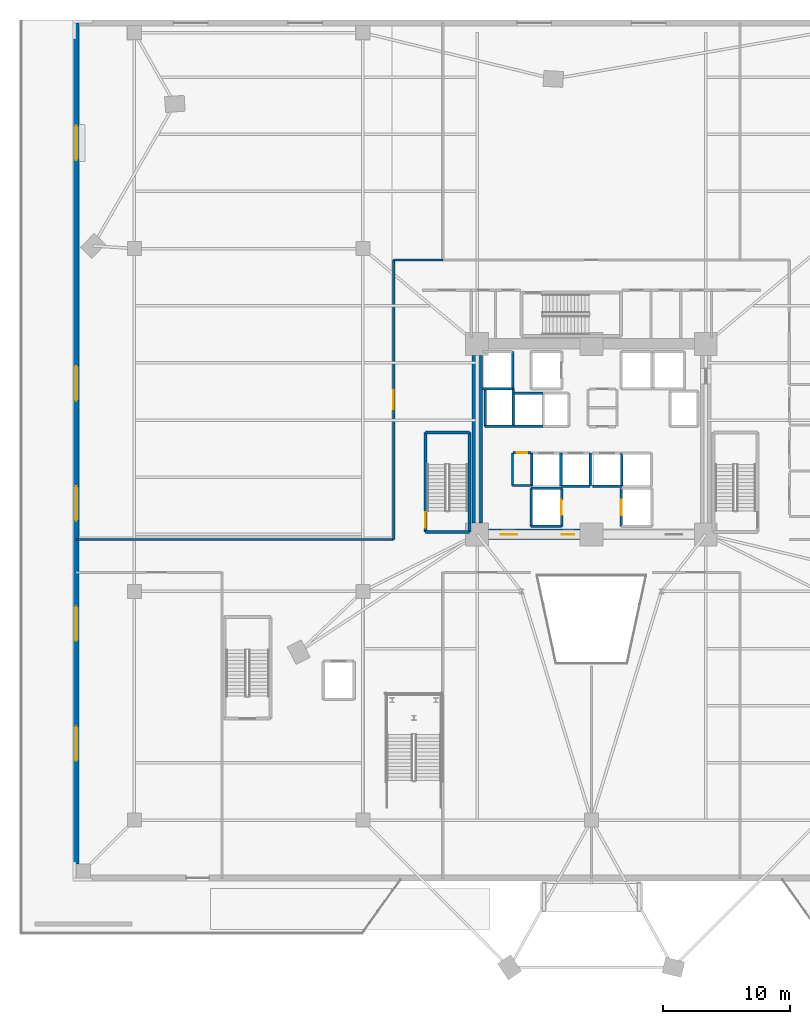
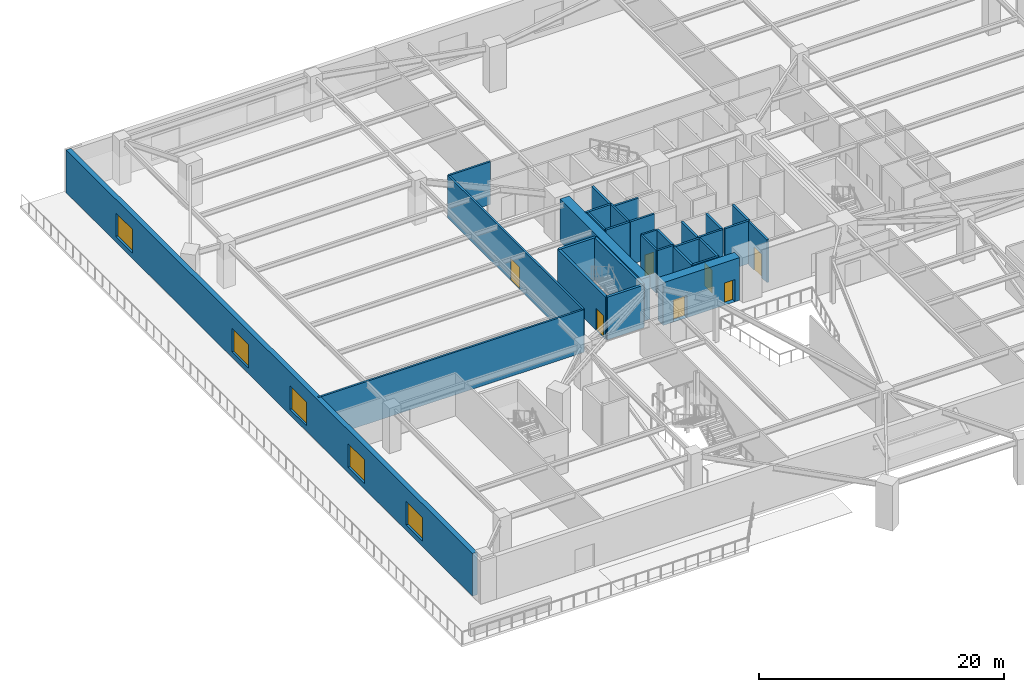
# One storey, part 8 of 19: 31 walls, 7 doors, 5 windows, 12 openings.
"""IFC4 building model written with IfcOpenShell, lengths in metres."""

from ifc_helpers import new_model, si_unit, direction, frame, frame_2d, origin, place, context, subcontext, project, spatial, rectangle, extrude, source, transform, mapped, material, layer, layer_set, type_object, element, fill, save


model = new_model("IFC4")

# Units and contexts
model_context = context("Model", 3, precision=1e-05, world=origin(), true_north=direction((0.0, 1.0)))
body_context = subcontext(model_context, "Body", "Model", "MODEL_VIEW")
ifc_project = project(units=[si_unit("LENGTHUNIT", "METRE"), si_unit("AREAUNIT", "SQUARE_METRE"), si_unit("VOLUMEUNIT", "CUBIC_METRE"), si_unit("PLANEANGLEUNIT", "RADIAN"), si_unit("MASSUNIT", "GRAM", prefix="KILO")], contexts=[model_context])

# Site, building, storey
site_placement = place(None, origin())
site = spatial("IfcSite", under=ifc_project, at=site_placement, CompositionType="ELEMENT")
building_placement = place(site_placement, origin())
building = spatial("IfcBuilding", under=site, at=building_placement, Name="Liaohun Quay Tower", CompositionType="ELEMENT")
storey_placement = place(building_placement, frame((0.0, 0.0, 9.89990234375)))
storey = spatial("IfcBuildingStorey", under=building, at=storey_placement, Name="L03", CompositionType="ELEMENT", Elevation=9.89990234375)

# Wall, openings, doors
ifc_material_1 = material(Name="Concrete C60", Category="concrete")
ifc_layer_1 = layer(ifc_material_1, 0.85009765625, Name="Concrete C60", Category="concrete")
ifc_layer_set_1 = layer_set([ifc_layer_1], Name="Concrete C60")
wall_type_1 = type_object("IfcWallType", Name="WAL-COR-Z1", PredefinedType="SHEAR", material=ifc_layer_set_1)
wall_1_placement = place(storey_placement, frame((59.10009765625, 46.5, 0.0), z_axis=(0.0, 0.0, 1.0), x_axis=(-1.0, 0.0, 0.0)))
wall_1 = element("IfcWall", 1, at=wall_1_placement, inside=storey, type_object=wall_type_1, Name="L03 Central Core Shear Wall S-W", PredefinedType="SHEAR", context=body_context, shape_type="SweptSolid", body=[
    extrude(rectangle(XDim=7.2001953125, YDim=0.85009765625, at=frame_2d((3.60009765625, 0.0))), origin(), (0.0, 0.0, 1.0), 4.25),
])
shared_shape_1 = source(origin(), body_context, "Body", "SweptSolid", [
    extrude(rectangle(XDim=1.300048828125, YDim=2.199951171875, at=frame_2d((0.64990234375, 1.10009765625))), frame((0.0, 0.43505859375, 0.0), z_axis=(0.0, -1.0, 0.0), x_axis=(1.0, 0.0, 0.0)), (0.0, 0.0, 1.0), 0.8701171875),
])
opening_1_placement = place(wall_1_placement, frame((4.949951171875, 0.0, 0.0)))
opening_1 = element("IfcOpeningElement", 2, at=opening_1_placement, cuts=wall_1, Name="Opening FD1", PredefinedType="OPENING", context=body_context, shape_type="MappedRepresentation", body=[
    mapped(shared_shape_1, transform((0.0, 0.0, 0.0), x_axis=(1.0, 0.0, 0.0), y_axis=(0.0, 1.0, 0.0), z_axis=(0.0, 0.0, 1.0), scale=1.0)),
])
shared_shape_2 = source(origin(), body_context, "Body", "SweptSolid", [
    extrude(rectangle(XDim=1.0, YDim=2.199951171875, at=frame_2d((0.5, 1.10009765625))), frame((0.0, 0.43505859375, 0.0), z_axis=(0.0, -1.0, 0.0), x_axis=(1.0, 0.0, 0.0)), (0.0, 0.0, 1.0), 0.8701171875),
])
opening_2_placement = place(wall_1_placement, frame((0.449951171875, 0.0, 0.0)))
opening_2 = element("IfcOpeningElement", 3, at=opening_2_placement, cuts=wall_1, Name="Opening FD2", PredefinedType="OPENING", context=body_context, shape_type="MappedRepresentation", body=[
    mapped(shared_shape_2, transform((0.0, 0.0, 0.0), x_axis=(1.0, 0.0, 0.0), y_axis=(0.0, 1.0, 0.0), z_axis=(0.0, 0.0, 1.0), scale=1.0)),
])
ifc_material_2 = material(Name="Galvanised steel smokeproof fire door", Category="steel")
door_type_1 = type_object("IfcDoorType", Name="DOR-FFL-1300", OperationType="NOTDEFINED", PredefinedType="DOOR", material=ifc_material_2)
shared_shape_3 = source(origin(), body_context, "Body", "SweptSolid", [
    extrude(rectangle(XDim=1.300048828125, YDim=2.199951171875, at=frame_2d((0.64990234375, 1.10009765625))), frame((0.0, 0.02490234375, 0.0), z_axis=(0.0, -1.0, 0.0), x_axis=(1.0, 0.0, 0.0)), (0.0, 0.0, 1.0), 0.050048828125),
])
door_1_placement = place(opening_1_placement, origin())
door_1 = element("IfcDoor", 4, at=door_1_placement, inside=storey, type_object=door_type_1, Name="L03 West Core Lift Lobby Smokeproof Door", OperationType="SINGLE_SWING_RIGHT", OverallHeight=2.199951171875, OverallWidth=1.300048828125, PredefinedType="DOOR", context=body_context, shape_type="MappedRepresentation", body=[
    mapped(shared_shape_3, transform((0.0, 0.0, 0.0), x_axis=(1.0, 0.0, 0.0), y_axis=(0.0, 1.0, 0.0), z_axis=(0.0, 0.0, 1.0), scale=1.0)),
])
fill(opening_1, door_1)
ifc_material_3 = material(Name="Galvanised steel smokeproof lobby fire door", Category="steel")
door_type_2 = type_object("IfcDoorType", Name="DOR-FFL-1000", OperationType="NOTDEFINED", PredefinedType="DOOR", material=ifc_material_3)
shared_shape_4 = source(origin(), body_context, "Body", "SweptSolid", [
    extrude(rectangle(XDim=1.0, YDim=2.199951171875, at=frame_2d((0.5, 1.10009765625))), frame((0.0, 0.02490234375, 0.0), z_axis=(0.0, -1.0, 0.0), x_axis=(1.0, 0.0, 0.0)), (0.0, 0.0, 1.0), 0.050048828125),
])
door_2_placement = place(opening_2_placement, origin())
door_2 = element("IfcDoor", 5, at=door_2_placement, inside=storey, type_object=door_type_2, Name="L03 South Firefighting Lobby Smokeproof Door", OperationType="SINGLE_SWING_LEFT", OverallHeight=2.199951171875, OverallWidth=1.0, PredefinedType="DOOR", context=body_context, shape_type="MappedRepresentation", body=[
    mapped(shared_shape_4, transform((0.0, 0.0, 0.0), x_axis=(1.0, 0.0, 0.0), y_axis=(0.0, 1.0, 0.0), z_axis=(0.0, 0.0, 1.0), scale=1.0)),
])
fill(opening_2, door_2)

# Wall
wall_2_placement = place(storey_placement, frame((51.0, 47.39990234375, 0.0), z_axis=(0.0, 0.0, 1.0), x_axis=(0.0, 1.0, 0.0)))
element("IfcWall", 6, at=wall_2_placement, inside=storey, type_object=wall_type_1, Name="L03 Central Core Shear Wall W", PredefinedType="SHEAR", context=body_context, shape_type="SweptSolid", body=[
    extrude(rectangle(XDim=13.2001953125, YDim=0.85009765625, at=frame_2d((6.60009765625, 0.0))), origin(), (0.0, 0.0, 1.0), 4.25),
])

# Wall, openings, windows
ifc_material_4 = material(Name="Precast concrete C50 with granite facing", Category="masonry")
ifc_layer_2 = layer(ifc_material_4, 0.4599609375, Name="Precast concrete C50 with granite facing", Category="masonry")
ifc_layer_set_2 = layer_set([ifc_layer_2], Name="Precast concrete C50 with granite facing")
wall_type_2 = type_object("IfcWallType", Name="WAL-EXT-POD", PredefinedType="SOLIDWALL", material=ifc_layer_set_2)
wall_3_placement = place(storey_placement, frame((19.429931640625, 86.77001953125, 0.0), z_axis=(0.0, 0.0, 1.0), x_axis=(0.0, -1.0, 0.0)))
wall_3 = element("IfcWall", 7, at=wall_3_placement, inside=storey, type_object=wall_type_2, Name="L03 Podium Precast Facade Wall 03", PredefinedType="SOLIDWALL", context=body_context, shape_type="SweptSolid", body=[
    extrude(rectangle(XDim=66.22998046875, YDim=0.4599609375, at=frame_2d((33.114990234375, 0.0))), origin(), (0.0, 0.0, 1.0), 4.25),
])
shared_shape_5 = source(origin(), body_context, "Body", "SweptSolid", [
    extrude(rectangle(XDim=2.699951171875, YDim=2.35009765625, at=frame_2d((1.35009765625, 1.175048828125))), frame((0.0, 0.239990234375, 0.0), z_axis=(0.0, -1.0, 0.0), x_axis=(1.0, 0.0, 0.0)), (0.0, 0.0, 1.0), 0.47998046875),
])
opening_3_placement = place(wall_3_placement, frame((8.111083984375, 0.0, 0.550048828125)))
opening_3 = element("IfcOpeningElement", 8, at=opening_3_placement, cuts=wall_3, Name="Opening W06", PredefinedType="OPENING", context=body_context, shape_type="MappedRepresentation", body=[
    mapped(shared_shape_5, transform((0.0, 0.0, 0.0), x_axis=(1.0, 0.0, 0.0), y_axis=(0.0, 1.0, 0.0), z_axis=(0.0, 0.0, 1.0), scale=1.0)),
])
opening_4_placement = place(wall_3_placement, frame((27.033935546875, 0.0, 0.550048828125)))
opening_4 = element("IfcOpeningElement", 9, at=opening_4_placement, cuts=wall_3, Name="Opening W06", PredefinedType="OPENING", context=body_context, shape_type="MappedRepresentation", body=[
    mapped(shared_shape_5, transform((0.0, 0.0, 0.0), x_axis=(1.0, 0.0, 0.0), y_axis=(0.0, 1.0, 0.0), z_axis=(0.0, 0.0, 1.0), scale=1.0)),
])
opening_5_placement = place(wall_3_placement, frame((36.49609375, 0.0, 0.550048828125)))
opening_5 = element("IfcOpeningElement", 10, at=opening_5_placement, cuts=wall_3, Name="Opening W06", PredefinedType="OPENING", context=body_context, shape_type="MappedRepresentation", body=[
    mapped(shared_shape_5, transform((0.0, 0.0, 0.0), x_axis=(1.0, 0.0, 0.0), y_axis=(0.0, 1.0, 0.0), z_axis=(0.0, 0.0, 1.0), scale=1.0)),
])
opening_6_placement = place(wall_3_placement, frame((45.95703125, 0.0, 0.550048828125)))
opening_6 = element("IfcOpeningElement", 11, at=opening_6_placement, cuts=wall_3, Name="Opening W06", PredefinedType="OPENING", context=body_context, shape_type="MappedRepresentation", body=[
    mapped(shared_shape_5, transform((0.0, 0.0, 0.0), x_axis=(1.0, 0.0, 0.0), y_axis=(0.0, 1.0, 0.0), z_axis=(0.0, 0.0, 1.0), scale=1.0)),
])
opening_7_placement = place(wall_3_placement, frame((55.4189453125, 0.0, 0.550048828125)))
opening_7 = element("IfcOpeningElement", 12, at=opening_7_placement, cuts=wall_3, Name="Opening W06", PredefinedType="OPENING", context=body_context, shape_type="MappedRepresentation", body=[
    mapped(shared_shape_5, transform((0.0, 0.0, 0.0), x_axis=(1.0, 0.0, 0.0), y_axis=(0.0, 1.0, 0.0), z_axis=(0.0, 0.0, 1.0), scale=1.0)),
])
ifc_material_5 = material(Name="Triple Low-E waterfront podium glazing", Category="glass")
window_type = type_object("IfcWindowType", Name="WIN-POD-ARC", PartitioningType="TRIPLE_PANEL_VERTICAL", PredefinedType="WINDOW", material=ifc_material_5)
shared_shape_6 = source(origin(), body_context, "Body", "SweptSolid", [
    extrude(rectangle(XDim=2.699951171875, YDim=2.35009765625, at=frame_2d((1.35009765625, 1.175048828125))), frame((0.0, 0.030029296875, 0.0), z_axis=(0.0, -1.0, 0.0), x_axis=(1.0, 0.0, 0.0)), (0.0, 0.0, 1.0), 0.06005859375),
])
window_1_placement = place(opening_3_placement, origin())
window_1 = element("IfcWindow", 13, at=window_1_placement, inside=storey, type_object=window_type, Name="L03 Podium Punched Window W06-03-01", OverallHeight=2.35009765625, OverallWidth=2.699951171875, PartitioningType="TRIPLE_PANEL_VERTICAL", PredefinedType="WINDOW", context=body_context, shape_type="MappedRepresentation", body=[
    mapped(shared_shape_6, transform((0.0, 0.0, 0.0), x_axis=(1.0, 0.0, 0.0), y_axis=(0.0, 1.0, 0.0), z_axis=(0.0, 0.0, 1.0), scale=1.0)),
])
fill(opening_3, window_1)
window_2_placement = place(opening_4_placement, origin())
window_2 = element("IfcWindow", 14, at=window_2_placement, inside=storey, type_object=window_type, Name="L03 Podium Punched Window W06-03-03", OverallHeight=2.35009765625, OverallWidth=2.699951171875, PartitioningType="TRIPLE_PANEL_VERTICAL", PredefinedType="WINDOW", context=body_context, shape_type="MappedRepresentation", body=[
    mapped(shared_shape_6, transform((0.0, 0.0, 0.0), x_axis=(1.0, 0.0, 0.0), y_axis=(0.0, 1.0, 0.0), z_axis=(0.0, 0.0, 1.0), scale=1.0)),
])
fill(opening_4, window_2)
window_3_placement = place(opening_5_placement, origin())
window_3 = element("IfcWindow", 15, at=window_3_placement, inside=storey, type_object=window_type, Name="L03 Podium Punched Window W06-03-04", OverallHeight=2.35009765625, OverallWidth=2.699951171875, PartitioningType="TRIPLE_PANEL_VERTICAL", PredefinedType="WINDOW", context=body_context, shape_type="MappedRepresentation", body=[
    mapped(shared_shape_6, transform((0.0, 0.0, 0.0), x_axis=(1.0, 0.0, 0.0), y_axis=(0.0, 1.0, 0.0), z_axis=(0.0, 0.0, 1.0), scale=1.0)),
])
fill(opening_5, window_3)
window_4_placement = place(opening_6_placement, origin())
window_4 = element("IfcWindow", 16, at=window_4_placement, inside=storey, type_object=window_type, Name="L03 Podium Punched Window W06-03-05", OverallHeight=2.35009765625, OverallWidth=2.699951171875, PartitioningType="TRIPLE_PANEL_VERTICAL", PredefinedType="WINDOW", context=body_context, shape_type="MappedRepresentation", body=[
    mapped(shared_shape_6, transform((0.0, 0.0, 0.0), x_axis=(1.0, 0.0, 0.0), y_axis=(0.0, 1.0, 0.0), z_axis=(0.0, 0.0, 1.0), scale=1.0)),
])
fill(opening_6, window_4)
window_5_placement = place(opening_7_placement, origin())
window_5 = element("IfcWindow", 17, at=window_5_placement, inside=storey, type_object=window_type, Name="L03 Podium Punched Window W06-03-06", OverallHeight=2.35009765625, OverallWidth=2.699951171875, PartitioningType="TRIPLE_PANEL_VERTICAL", PredefinedType="WINDOW", context=body_context, shape_type="MappedRepresentation", body=[
    mapped(shared_shape_6, transform((0.0, 0.0, 0.0), x_axis=(1.0, 0.0, 0.0), y_axis=(0.0, 1.0, 0.0), z_axis=(0.0, 0.0, 1.0), scale=1.0)),
])
fill(opening_7, window_5)

# Wall, opening, door
ifc_material_6 = material(Name="Autoclaved aerated concrete blockwork", Category="masonry")
ifc_layer_3 = layer(ifc_material_6, 0.179931640625, Name="Autoclaved aerated concrete blockwork", Category="masonry")
ifc_layer_set_3 = layer_set([ifc_layer_3], Name="Autoclaved aerated concrete blockwork")
wall_type_3 = type_object("IfcWallType", Name="WAL-PRT-COR", PredefinedType="PARTITIONING", material=ifc_layer_set_3)
wall_4_placement = place(storey_placement, frame((53.820068359375, 52.919921875, 0.0), z_axis=(0.0, 0.0, 1.0), x_axis=(1.0, 0.0, 0.0)))
wall_4 = element("IfcWall", 18, at=wall_4_placement, inside=storey, type_object=wall_type_3, Name="L03 Interior Partition Wall 003", PredefinedType="PARTITIONING", context=body_context, shape_type="SweptSolid", body=[
    extrude(rectangle(XDim=1.429931640625, YDim=0.179931640625, at=frame_2d((0.71484375, 0.0))), origin(), (0.0, 0.0, 1.0), 4.25),
])
shared_shape_7 = source(origin(), body_context, "Body", "SweptSolid", [
    extrude(rectangle(XDim=0.85009765625, YDim=2.10009765625, at=frame_2d((0.425048828125, 1.050048828125))), frame((0.0, 0.099853515625, 0.0), z_axis=(0.0, -1.0, 0.0), x_axis=(1.0, 0.0, 0.0)), (0.0, 0.0, 1.0), 0.199951171875),
])
opening_8_placement = place(wall_4_placement, frame((0.2900390625, 0.0, 0.0)))
opening_8 = element("IfcOpeningElement", 19, at=opening_8_placement, cuts=wall_4, Name="Opening AD1", PredefinedType="OPENING", context=body_context, shape_type="MappedRepresentation", body=[
    mapped(shared_shape_7, transform((0.0, 0.0, 0.0), x_axis=(1.0, 0.0, 0.0), y_axis=(0.0, 1.0, 0.0), z_axis=(0.0, 0.0, 1.0), scale=1.0)),
])
ifc_material_7 = material(Name="Steel riser inspection fire door", Category="steel")
door_type_3 = type_object("IfcDoorType", Name="DOR-SHF-850", OperationType="NOTDEFINED", PredefinedType="DOOR", material=ifc_material_7)
shared_shape_8 = source(origin(), body_context, "Body", "SweptSolid", [
    extrude(rectangle(XDim=0.85009765625, YDim=2.10009765625, at=frame_2d((0.425048828125, 1.050048828125))), frame((0.0, 0.02490234375, 0.0), z_axis=(0.0, -1.0, 0.0), x_axis=(1.0, 0.0, 0.0)), (0.0, 0.0, 1.0), 0.050048828125),
])
door_3_placement = place(opening_8_placement, origin())
door_3 = element("IfcDoor", 20, at=door_3_placement, inside=storey, type_object=door_type_3, Name="L03 Core Fire Hose and Riser Closet Door", OperationType="SINGLE_SWING_RIGHT", OverallHeight=2.10009765625, OverallWidth=0.85009765625, PredefinedType="DOOR", context=body_context, shape_type="MappedRepresentation", body=[
    mapped(shared_shape_8, transform((0.0, 0.0, 0.0), x_axis=(1.0, 0.0, 0.0), y_axis=(0.0, 1.0, 0.0), z_axis=(0.0, 0.0, 1.0), scale=1.0)),
])
fill(opening_8, door_3)

wall_5_placement = place(storey_placement, frame((44.419921875, 46.10009765625, 0.0), z_axis=(0.0, 0.0, 1.0), x_axis=(0.0, 1.0, 0.0)))
wall_5 = element("IfcWall", 21, at=wall_5_placement, inside=storey, type_object=wall_type_3, Name="L03 Interior Partition Wall 018", PredefinedType="PARTITIONING", context=body_context, shape_type="SweptSolid", body=[
    extrude(rectangle(XDim=22.0, YDim=0.179931640625, at=frame_2d((11.0, 0.0))), origin(), (0.0, 0.0, 1.0), 4.25),
])
shared_shape_9 = source(origin(), body_context, "Body", "SweptSolid", [
    extrude(rectangle(XDim=1.5, YDim=2.199951171875, at=frame_2d((0.75, 1.10009765625))), frame((0.0, 0.099853515625, 0.0), z_axis=(0.0, -1.0, 0.0), x_axis=(1.0, 0.0, 0.0)), (0.0, 0.0, 1.0), 0.199951171875),
])
opening_9_placement = place(wall_5_placement, frame((10.25, 0.0, 0.0)))
opening_9 = element("IfcOpeningElement", 22, at=opening_9_placement, cuts=wall_5, Name="Opening OD2", PredefinedType="OPENING", context=body_context, shape_type="MappedRepresentation", body=[
    mapped(shared_shape_9, transform((0.0, 0.0, 0.0), x_axis=(1.0, 0.0, 0.0), y_axis=(0.0, 1.0, 0.0), z_axis=(0.0, 0.0, 1.0), scale=1.0)),
])
ifc_material_8 = material(Name="Acoustic oak veneer double door")
door_type_4 = type_object("IfcDoorType", Name="DOR-OFF-1500", OperationType="DOUBLE_DOOR_SINGLE_SWING", PredefinedType="DOOR", material=ifc_material_8)
shared_shape_10 = source(origin(), body_context, "Body", "SweptSolid", [
    extrude(rectangle(XDim=1.5, YDim=2.199951171875, at=frame_2d((0.75, 1.10009765625))), frame((0.0, 0.02490234375, 0.0), z_axis=(0.0, -1.0, 0.0), x_axis=(1.0, 0.0, 0.0)), (0.0, 0.0, 1.0), 0.050048828125),
])
door_4_placement = place(opening_9_placement, origin())
door_4 = element("IfcDoor", 23, at=door_4_placement, inside=storey, type_object=door_type_4, Name="L03 Simultaneous Interpretation Studio Door", OperationType="DOUBLE_DOOR_SINGLE_SWING", OverallHeight=2.199951171875, OverallWidth=1.5, PredefinedType="DOOR", context=body_context, shape_type="MappedRepresentation", body=[
    mapped(shared_shape_10, transform((0.0, 0.0, 0.0), x_axis=(1.0, 0.0, 0.0), y_axis=(0.0, 1.0, 0.0), z_axis=(0.0, 0.0, 1.0), scale=1.0)),
])
fill(opening_9, door_4)

# Walls
wall_6_placement = place(storey_placement, frame((53.7900390625, 50.35009765625, 0.0), z_axis=(0.0, 0.0, 1.0), x_axis=(0.0, 1.0, 0.0)))
element("IfcWall", 24, at=wall_6_placement, inside=storey, type_object=wall_type_3, Name="L03 Interior Partition Wall 024", PredefinedType="PARTITIONING", context=body_context, shape_type="SweptSolid", body=[
    extrude(rectangle(XDim=2.56982421875, YDim=0.179931640625, at=frame_2d((1.284912109375, 0.0))), origin(), (0.0, 0.0, 1.0), 4.25),
])
wall_7_placement = place(storey_placement, frame((53.7900390625, 50.35009765625, 0.0), z_axis=(0.0, 0.0, 1.0), x_axis=(1.0, 0.0, 0.0)))
element("IfcWall", 25, at=wall_7_placement, inside=storey, type_object=wall_type_3, Name="L03 Interior Partition Wall 025", PredefinedType="PARTITIONING", context=body_context, shape_type="SweptSolid", body=[
    extrude(rectangle(XDim=1.489990234375, YDim=0.179931640625, at=frame_2d((0.7451171875, 0.0))), origin(), (0.0, 0.0, 1.0), 4.25),
])
wall_8_placement = place(storey_placement, frame((19.425048828125, 46.10009765625, 0.0), z_axis=(0.0, 0.0, 1.0), x_axis=(1.0, 0.0, 0.0)))
element("IfcWall", 26, at=wall_8_placement, inside=storey, type_object=wall_type_3, Name="L03 Interior Partition Wall 031", PredefinedType="PARTITIONING", context=body_context, shape_type="SweptSolid", body=[
    extrude(rectangle(XDim=24.994873046875, YDim=0.179931640625, at=frame_2d((12.49755859375, 0.0))), origin(), (0.0, 0.0, 1.0), 4.25),
])
wall_9_placement = place(storey_placement, frame((44.419921875, 68.10009765625, 0.0), z_axis=(0.0, 0.0, 1.0), x_axis=(1.0, 0.0, 0.0)))
element("IfcWall", 27, at=wall_9_placement, inside=storey, type_object=wall_type_3, Name="L03 Interior Partition Wall 033", PredefinedType="PARTITIONING", context=body_context, shape_type="SweptSolid", body=[
    extrude(rectangle(XDim=3.880126953125, YDim=0.179931640625, at=frame_2d((1.93994140625, 0.0))), origin(), (0.0, 0.0, 1.0), 4.25),
])
ifc_material_9 = material(Name="Concrete C50", Category="concrete")
ifc_layer_4 = layer(ifc_material_9, 0.239990234375, Name="Concrete C50", Category="concrete")
ifc_layer_set_4 = layer_set([ifc_layer_4], Name="Concrete C50")
wall_type_4 = type_object("IfcWallType", Name="WAL-SHF-200", PredefinedType="SOLIDWALL", material=ifc_layer_set_4)
wall_10_placement = place(storey_placement, frame((46.93994140625, 46.699951171875, 0.0), z_axis=(0.0, 0.0, 1.0), x_axis=(1.0, 0.0, 0.0)))
element("IfcWall", 28, at=wall_10_placement, inside=storey, type_object=wall_type_4, Name="L03 Stairwell ST-1 Structural Core Wall S", PredefinedType="SOLIDWALL", context=body_context, shape_type="SweptSolid", body=[
    extrude(rectangle(XDim=3.43994140625, YDim=0.239990234375, at=frame_2d((1.719970703125, 0.0))), origin(), (0.0, 0.0, 1.0), 4.25),
])
wall_11_placement = place(storey_placement, frame((50.3798828125, 46.699951171875, 0.0), z_axis=(0.0, 0.0, 1.0), x_axis=(0.0, 1.0, 0.0)))
element("IfcWall", 29, at=wall_11_placement, inside=storey, type_object=wall_type_4, Name="L03 Stairwell ST-1 Structural Core Wall E", PredefinedType="SOLIDWALL", context=body_context, shape_type="SweptSolid", body=[
    extrude(rectangle(XDim=7.820068359375, YDim=0.239990234375, at=frame_2d((3.91015625, 0.0))), origin(), (0.0, 0.0, 1.0), 4.25),
])
wall_12_placement = place(storey_placement, frame((50.3798828125, 54.52001953125, 0.0), z_axis=(0.0, 0.0, 1.0), x_axis=(-1.0, 0.0, 0.0)))
element("IfcWall", 30, at=wall_12_placement, inside=storey, type_object=wall_type_4, Name="L03 Stairwell ST-1 Structural Core Wall N", PredefinedType="SOLIDWALL", context=body_context, shape_type="SweptSolid", body=[
    extrude(rectangle(XDim=3.43994140625, YDim=0.239990234375, at=frame_2d((1.719970703125, 0.0))), origin(), (0.0, 0.0, 1.0), 4.25),
])

# Wall, opening, door
wall_13_placement = place(storey_placement, frame((46.93994140625, 54.52001953125, 0.0), z_axis=(0.0, 0.0, 1.0), x_axis=(0.0, -1.0, 0.0)))
wall_13 = element("IfcWall", 31, at=wall_13_placement, inside=storey, type_object=wall_type_4, Name="L03 Stairwell ST-1 Structural Core Wall W", PredefinedType="SOLIDWALL", context=body_context, shape_type="SweptSolid", body=[
    extrude(rectangle(XDim=7.820068359375, YDim=0.239990234375, at=frame_2d((3.91015625, 0.0))), origin(), (0.0, 0.0, 1.0), 4.25),
])
shared_shape_11 = source(origin(), body_context, "Body", "SweptSolid", [
    extrude(rectangle(XDim=1.199951171875, YDim=2.199951171875, at=frame_2d((0.60009765625, 1.10009765625))), frame((0.0, 0.1298828125, 0.0), z_axis=(0.0, -1.0, 0.0), x_axis=(1.0, 0.0, 0.0)), (0.0, 0.0, 1.0), 0.260009765625),
])
opening_10_placement = place(wall_13_placement, frame((6.300048828125, 0.0, 0.0)))
opening_10 = element("IfcOpeningElement", 32, at=opening_10_placement, cuts=wall_13, Name="Opening SD1", PredefinedType="OPENING", context=body_context, shape_type="MappedRepresentation", body=[
    mapped(shared_shape_11, transform((0.0, 0.0, 0.0), x_axis=(1.0, 0.0, 0.0), y_axis=(0.0, 1.0, 0.0), z_axis=(0.0, 0.0, 1.0), scale=1.0)),
])
ifc_material_10 = material(Name="Galvanised steel fire door", Category="steel")
door_type_5 = type_object("IfcDoorType", Name="DOR-STR-1200", OperationType="NOTDEFINED", PredefinedType="DOOR", material=ifc_material_10)
shared_shape_12 = source(origin(), body_context, "Body", "SweptSolid", [
    extrude(rectangle(XDim=1.199951171875, YDim=2.199951171875, at=frame_2d((0.60009765625, 1.10009765625))), frame((0.0, 0.02490234375, 0.0), z_axis=(0.0, -1.0, 0.0), x_axis=(1.0, 0.0, 0.0)), (0.0, 0.0, 1.0), 0.050048828125),
])
door_5_placement = place(opening_10_placement, origin())
door_5 = element("IfcDoor", 33, at=door_5_placement, inside=storey, type_object=door_type_5, Name="L03 Protected Stair ST-1 Fire Door", OperationType="SINGLE_SWING_LEFT", OverallHeight=2.199951171875, OverallWidth=1.199951171875, PredefinedType="DOOR", context=body_context, shape_type="MappedRepresentation", body=[
    mapped(shared_shape_12, transform((0.0, 0.0, 0.0), x_axis=(1.0, 0.0, 0.0), y_axis=(0.0, 1.0, 0.0), z_axis=(0.0, 0.0, 1.0), scale=1.0)),
])
fill(opening_10, door_5)

# Wall
wall_14_placement = place(storey_placement, frame((55.25, 47.1201171875, 0.0), z_axis=(0.0, 0.0, 1.0), x_axis=(1.0, 0.0, 0.0)))
element("IfcWall", 34, at=wall_14_placement, inside=storey, type_object=wall_type_4, Name="L03 Lift FF-01 Hoistway Wall S", PredefinedType="SOLIDWALL", context=body_context, shape_type="SweptSolid", body=[
    extrude(rectangle(XDim=2.39990234375, YDim=0.199951171875, at=frame_2d((1.199951171875, 0.0))), origin(), (0.0, 0.0, 1.0), 4.25),
])

# Wall, opening, door
wall_15_placement = place(storey_placement, frame((57.64990234375, 47.1201171875, 0.0), z_axis=(0.0, 0.0, 1.0), x_axis=(0.0, 1.0, 0.0)))
wall_15 = element("IfcWall", 35, at=wall_15_placement, inside=storey, type_object=wall_type_4, Name="L03 Lift FF-01 Hoistway Wall E", PredefinedType="SOLIDWALL", context=body_context, shape_type="SweptSolid", body=[
    extrude(rectangle(XDim=3.0, YDim=0.199951171875, at=frame_2d((1.5, 0.0))), origin(), (0.0, 0.0, 1.0), 4.25),
])
shared_shape_13 = source(origin(), body_context, "Body", "SweptSolid", [
    extrude(rectangle(XDim=1.199951171875, YDim=2.300048828125, at=frame_2d((0.60009765625, 1.14990234375))), frame((0.0, 0.10986328125, 0.0), z_axis=(0.0, -1.0, 0.0), x_axis=(1.0, 0.0, 0.0)), (0.0, 0.0, 1.0), 0.219970703125),
])
opening_11_placement = place(wall_15_placement, frame((0.89990234375, 0.0, 0.0)))
opening_11 = element("IfcOpeningElement", 36, at=opening_11_placement, cuts=wall_15, Name="Opening LD2", PredefinedType="OPENING", context=body_context, shape_type="MappedRepresentation", body=[
    mapped(shared_shape_13, transform((0.0, 0.0, 0.0), x_axis=(1.0, 0.0, 0.0), y_axis=(0.0, 1.0, 0.0), z_axis=(0.0, 0.0, 1.0), scale=1.0)),
])
ifc_material_11 = material(Name="Brushed stainless steel stretcher landing door", Category="steel")
door_type_6 = type_object("IfcDoorType", Name="DOR-LFT-1200", OperationType="SLIDING_TO_LEFT", PredefinedType="DOOR", material=ifc_material_11)
shared_shape_14 = source(origin(), body_context, "Body", "SweptSolid", [
    extrude(rectangle(XDim=1.199951171875, YDim=2.300048828125, at=frame_2d((0.60009765625, 1.14990234375))), frame((0.0, 0.02490234375, 0.0), z_axis=(0.0, -1.0, 0.0), x_axis=(1.0, 0.0, 0.0)), (0.0, 0.0, 1.0), 0.050048828125),
])
door_6_placement = place(opening_11_placement, origin())
door_6 = element("IfcDoor", 37, at=door_6_placement, inside=storey, type_object=door_type_6, Name="L03 Lift FF-01 Sliding Landing Door", OperationType="SLIDING_TO_LEFT", OverallHeight=2.300048828125, OverallWidth=1.199951171875, PredefinedType="DOOR", context=body_context, shape_type="MappedRepresentation", body=[
    mapped(shared_shape_14, transform((0.0, 0.0, 0.0), x_axis=(1.0, 0.0, 0.0), y_axis=(0.0, 1.0, 0.0), z_axis=(0.0, 0.0, 1.0), scale=1.0)),
])
fill(opening_11, door_6)

# Walls
wall_16_placement = place(storey_placement, frame((57.64990234375, 50.1201171875, 0.0), z_axis=(0.0, 0.0, 1.0), x_axis=(-1.0, 0.0, 0.0)))
element("IfcWall", 38, at=wall_16_placement, inside=storey, type_object=wall_type_4, Name="L03 Lift FF-01 Hoistway Wall N", PredefinedType="SOLIDWALL", context=body_context, shape_type="SweptSolid", body=[
    extrude(rectangle(XDim=2.39990234375, YDim=0.199951171875, at=frame_2d((1.199951171875, 0.0))), origin(), (0.0, 0.0, 1.0), 4.25),
])
wall_17_placement = place(storey_placement, frame((55.25, 50.1201171875, 0.0), z_axis=(0.0, 0.0, 1.0), x_axis=(0.0, -1.0, 0.0)))
element("IfcWall", 39, at=wall_17_placement, inside=storey, type_object=wall_type_4, Name="L03 Lift FF-01 Hoistway Wall W", PredefinedType="SOLIDWALL", context=body_context, shape_type="SweptSolid", body=[
    extrude(rectangle(XDim=3.0, YDim=0.199951171875, at=frame_2d((1.5, 0.0))), origin(), (0.0, 0.0, 1.0), 4.25),
])

# Wall, opening, door
wall_18_placement = place(storey_placement, frame((62.35009765625, 50.1201171875, 0.0), z_axis=(0.0, 0.0, 1.0), x_axis=(0.0, -1.0, 0.0)))
wall_18 = element("IfcWall", 40, at=wall_18_placement, inside=storey, type_object=wall_type_4, Name="L03 Lift FF-02 Hoistway Wall W", PredefinedType="SOLIDWALL", context=body_context, shape_type="SweptSolid", body=[
    extrude(rectangle(XDim=3.0, YDim=0.199951171875, at=frame_2d((1.5, 0.0))), origin(), (0.0, 0.0, 1.0), 4.25),
])
opening_12_placement = place(wall_18_placement, frame((0.89990234375, 0.0, 0.0)))
opening_12 = element("IfcOpeningElement", 41, at=opening_12_placement, cuts=wall_18, Name="Opening LD2", PredefinedType="OPENING", context=body_context, shape_type="MappedRepresentation", body=[
    mapped(shared_shape_13, transform((0.0, 0.0, 0.0), x_axis=(1.0, 0.0, 0.0), y_axis=(0.0, 1.0, 0.0), z_axis=(0.0, 0.0, 1.0), scale=1.0)),
])
door_7_placement = place(opening_12_placement, origin())
door_7 = element("IfcDoor", 42, at=door_7_placement, inside=storey, type_object=door_type_6, Name="L03 Lift FF-02 Sliding Landing Door", OperationType="SLIDING_TO_LEFT", OverallHeight=2.300048828125, OverallWidth=1.199951171875, PredefinedType="DOOR", context=body_context, shape_type="MappedRepresentation", body=[
    mapped(shared_shape_14, transform((0.0, 0.0, 0.0), x_axis=(1.0, 0.0, 0.0), y_axis=(0.0, 1.0, 0.0), z_axis=(0.0, 0.0, 1.0), scale=1.0)),
])
fill(opening_12, door_7)

# Walls
wall_19_placement = place(storey_placement, frame((51.39990234375, 57.949951171875, 0.0), z_axis=(0.0, 0.0, 1.0), x_axis=(1.0, 0.0, 0.0)))
element("IfcWall", 43, at=wall_19_placement, inside=storey, type_object=wall_type_4, Name="L03 Lift SH-01 Hoistway Wall S", PredefinedType="SOLIDWALL", context=body_context, shape_type="SweptSolid", body=[
    extrude(rectangle(XDim=2.400146484375, YDim=0.199951171875, at=frame_2d((1.2001953125, 0.0))), origin(), (0.0, 0.0, 1.0), 4.25),
])
wall_20_placement = place(storey_placement, frame((53.800048828125, 57.949951171875, 0.0), z_axis=(0.0, 0.0, 1.0), x_axis=(0.0, 1.0, 0.0)))
element("IfcWall", 44, at=wall_20_placement, inside=storey, type_object=wall_type_4, Name="L03 Lift SH-01 Hoistway Wall E", PredefinedType="SOLIDWALL", context=body_context, shape_type="SweptSolid", body=[
    extrude(rectangle(XDim=2.929931640625, YDim=0.199951171875, at=frame_2d((1.46484375, 0.0))), origin(), (0.0, 0.0, 1.0), 4.25),
])
wall_21_placement = place(storey_placement, frame((51.6201171875, 55.0, 0.0), z_axis=(0.0, 0.0, 1.0), x_axis=(1.0, 0.0, 0.0)))
element("IfcWall", 45, at=wall_21_placement, inside=storey, type_object=wall_type_4, Name="L03 Lift SH-02 Hoistway Wall S", PredefinedType="SOLIDWALL", context=body_context, shape_type="SweptSolid", body=[
    extrude(rectangle(XDim=2.22998046875, YDim=0.199951171875, at=frame_2d((1.114990234375, 0.0))), origin(), (0.0, 0.0, 1.0), 4.25),
])
for number, where, z_axis, x_axis, name in (
    (46, (53.85009765625, 55.0, 0.0), (0.0, 0.0, 1.0), (0.0, 1.0, 0.0), "L03 Lift SH-02 Hoistway Wall E"),
    (47, (51.6201171875, 58.0, 0.0), (0.0, 0.0, 1.0), (0.0, -1.0, 0.0), "L03 Lift SH-02 Hoistway Wall W"),
):
    element("IfcWall", number, at=place(storey_placement, frame(where, z_axis=z_axis, x_axis=x_axis)), inside=storey, type_object=wall_type_4, Name=name, PredefinedType="SOLIDWALL", context=body_context, shape_type="SweptSolid", body=[
        extrude(rectangle(XDim=3.0, YDim=0.199951171875, at=frame_2d((1.5, 0.0))), origin(), (0.0, 0.0, 1.0), 4.25),
    ])
for number, where, z_axis, x_axis, name in (
    (48, (57.60009765625, 50.300048828125, 0.0), (0.0, 0.0, 1.0), (0.0, 1.0, 0.0), "L03 Lift PL-1A Hoistway Wall E"),
    (49, (55.300048828125, 52.89990234375, 0.0), (0.0, 0.0, 1.0), (0.0, -1.0, 0.0), "L03 Lift PL-1A Hoistway Wall W"),
):
    element("IfcWall", number, at=place(storey_placement, frame(where, z_axis=z_axis, x_axis=x_axis)), inside=storey, type_object=wall_type_4, Name=name, PredefinedType="SOLIDWALL", context=body_context, shape_type="SweptSolid", body=[
        extrude(rectangle(XDim=2.599853515625, YDim=0.199951171875, at=frame_2d((1.2998046875, 0.0))), origin(), (0.0, 0.0, 1.0), 4.25),
    ])
wall_22_placement = place(storey_placement, frame((57.60009765625, 50.300048828125, 0.0), z_axis=(0.0, 0.0, 1.0), x_axis=(1.0, 0.0, 0.0)))
element("IfcWall", 50, at=wall_22_placement, inside=storey, type_object=wall_type_4, Name="L03 Lift PL-1B Hoistway Wall S", PredefinedType="SOLIDWALL", context=body_context, shape_type="SweptSolid", body=[
    extrude(rectangle(XDim=2.2998046875, YDim=0.199951171875, at=frame_2d((1.14990234375, 0.0))), origin(), (0.0, 0.0, 1.0), 4.25),
])
wall_23_placement = place(storey_placement, frame((59.89990234375, 50.300048828125, 0.0), z_axis=(0.0, 0.0, 1.0), x_axis=(0.0, 1.0, 0.0)))
element("IfcWall", 51, at=wall_23_placement, inside=storey, type_object=wall_type_4, Name="L03 Lift PL-1B Hoistway Wall E", PredefinedType="SOLIDWALL", context=body_context, shape_type="SweptSolid", body=[
    extrude(rectangle(XDim=2.599853515625, YDim=0.199951171875, at=frame_2d((1.2998046875, 0.0))), origin(), (0.0, 0.0, 1.0), 4.25),
])
wall_24_placement = place(storey_placement, frame((60.10009765625, 50.300048828125, 0.0), z_axis=(0.0, 0.0, 1.0), x_axis=(1.0, 0.0, 0.0)))
element("IfcWall", 52, at=wall_24_placement, inside=storey, type_object=wall_type_4, Name="L03 Lift PL-1C Hoistway Wall S", PredefinedType="SOLIDWALL", context=body_context, shape_type="SweptSolid", body=[
    extrude(rectangle(XDim=2.2998046875, YDim=0.199951171875, at=frame_2d((1.14990234375, 0.0))), origin(), (0.0, 0.0, 1.0), 4.25),
])
wall_25_placement = place(storey_placement, frame((62.39990234375, 50.300048828125, 0.0), z_axis=(0.0, 0.0, 1.0), x_axis=(0.0, 1.0, 0.0)))
element("IfcWall", 53, at=wall_25_placement, inside=storey, type_object=wall_type_4, Name="L03 Lift PL-1C Hoistway Wall E", PredefinedType="SOLIDWALL", context=body_context, shape_type="SweptSolid", body=[
    extrude(rectangle(XDim=2.599853515625, YDim=0.199951171875, at=frame_2d((1.2998046875, 0.0))), origin(), (0.0, 0.0, 1.0), 4.25),
])
for number, where, z_axis, x_axis, name in (
    (54, (53.89990234375, 55.0, 0.0), (0.0, 0.0, 1.0), (1.0, 0.0, 0.0), "L03 Lift PL-2B Hoistway Wall S"),
    (55, (56.199951171875, 57.60009765625, 0.0), (0.0, 0.0, 1.0), (-1.0, 0.0, 0.0), "L03 Lift PL-2B Hoistway Wall N"),
):
    element("IfcWall", number, at=place(storey_placement, frame(where, z_axis=z_axis, x_axis=x_axis)), inside=storey, type_object=wall_type_4, Name=name, PredefinedType="SOLIDWALL", context=body_context, shape_type="SweptSolid", body=[
        extrude(rectangle(XDim=2.300048828125, YDim=0.199951171875, at=frame_2d((1.14990234375, 0.0))), origin(), (0.0, 0.0, 1.0), 4.25),
    ])

save(model, "model.ifc")
